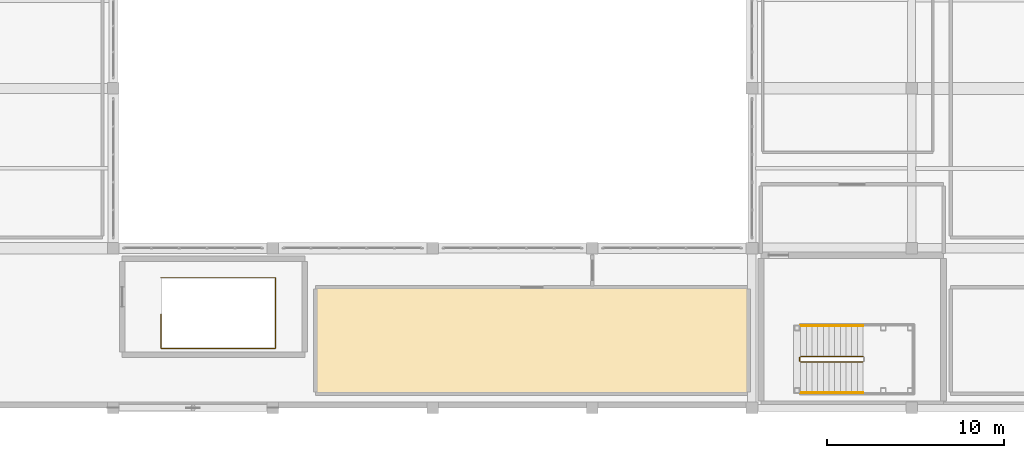
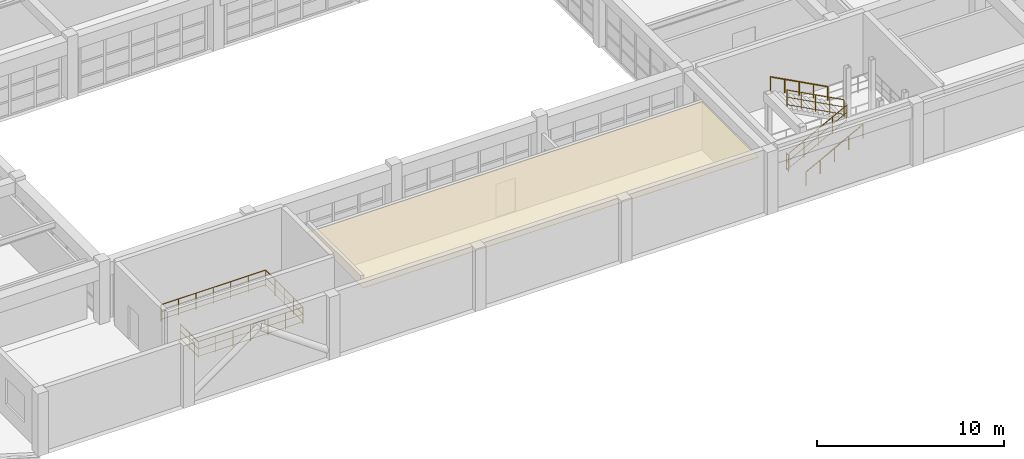
# One storey, part 121 of 130: 6 railings, 1 covering.
"""IFC4 building model written with IfcOpenShell, lengths in metres."""

from ifc_helpers import new_model, si_unit, direction, frame, origin, origin_2d, place, context, subcontext, project, spatial, polyline, circle, outline, extrude, material, layer, layer_set, type_object, element, save


model = new_model("IFC4")

# Units and contexts
model_context = context("Model", 3, precision=1e-05, world=origin(), true_north=direction((0.0, 1.0)))
body_context = subcontext(model_context, "Body", "Model", "MODEL_VIEW")
ifc_project = project(units=[si_unit("LENGTHUNIT", "METRE"), si_unit("AREAUNIT", "SQUARE_METRE"), si_unit("VOLUMEUNIT", "CUBIC_METRE"), si_unit("PLANEANGLEUNIT", "RADIAN"), si_unit("MASSUNIT", "GRAM", prefix="KILO")], contexts=[model_context])

# Site, building, storey
site_placement = place(None, origin())
site = spatial("IfcSite", under=ifc_project, at=site_placement, CompositionType="ELEMENT")
building_placement = place(site_placement, origin())
building = spatial("IfcBuilding", under=site, at=building_placement, Name="Miravela Opera House", CompositionType="ELEMENT")
storey_placement = place(building_placement, frame((0.0, 0.0, 9.52001953125)))
storey = spatial("IfcBuildingStorey", under=building, at=storey_placement, Name="L02", CompositionType="ELEMENT", Elevation=9.52001953125)

# Covering
ifc_material_1 = material(Name="Suspended acoustic gypsum board ceiling")
ifc_layer = layer(ifc_material_1, 0.02392578125)
ifc_layer_set = layer_set([ifc_layer])
covering_type = type_object("IfcCoveringType", Name="ARC-CEIL-GYPSUM-24", PredefinedType="CEILING", material=ifc_layer_set)
covering_placement = place(storey_placement, frame((0.0, 0.0, 3.06005859375)))
element("IfcCovering", 1, at=covering_placement, inside=storey, type_object=covering_type, Name="Female Chorus Dressing Suite Acoustic Ceiling", PredefinedType="CEILING", context=body_context, shape_type="SweptSolid", body=[
    extrude(outline(polyline([(38.39990234375, 0.800048828125), (62.800048828125, 0.800048828125), (62.800048828125, 6.800048828125), (38.39990234375, 6.800048828125), (38.39990234375, 0.800048828125)])), origin(), (0.0, 0.0, 1.0), 0.02392578125),
])

# Railings
ifc_material_2 = material(Name="Brushed bronze continuous stair handrail")
railing_type_1 = type_object("IfcRailingType", Name="ARC-RAIL-HAND-900", PredefinedType="HANDRAIL", material=ifc_material_2)
railing_1_placement = place(storey_placement, frame((65.739990234375, 0.85009765625, 0.169921875)))
element("IfcRailing", 2, at=railing_1_placement, inside=storey, type_object=railing_type_1, Name="L02 ST-06 stair handrail 1", PredefinedType="HANDRAIL", context=body_context, shape_type="SweptSolid", body=[
    extrude(circle(Radius=0.02392578125, at=origin_2d()), frame((0.0, 0.0, 0.8759765625), z_axis=(0.883104616746, 0.0, 0.469176124586), x_axis=(0.0, 1.0, 0.0)), (0.0, 0.0, 1.0), 3.98583984375),
    extrude(circle(Radius=0.02099609375, at=origin_2d()), origin(), (0.0, 0.0, 1.0), 0.851806640625),
    extrude(circle(Radius=0.02099609375, at=origin_2d()), frame((0.8798828125, 0.0, 0.467529296875)), (0.0, 0.0, 1.0), 0.851806640625),
    extrude(circle(Radius=0.02099609375, at=origin_2d()), frame((1.760009765625, 0.0, 0.93505859375)), (0.0, 0.0, 1.0), 0.851806640625),
    extrude(circle(Radius=0.02099609375, at=origin_2d()), frame((2.64013671875, 0.0, 1.402587890625)), (0.0, 0.0, 1.0), 0.851806640625),
    extrude(circle(Radius=0.02099609375, at=origin_2d()), frame((3.52001953125, 0.0, 1.8701171875)), (0.0, 0.0, 1.0), 0.851806640625),
])
railing_2_placement = place(storey_placement, frame((69.260009765625, 4.6298828125, 2.2099609375)))
element("IfcRailing", 3, at=railing_2_placement, inside=storey, type_object=railing_type_1, Name="L02 ST-06 stair handrail 2", PredefinedType="HANDRAIL", context=body_context, shape_type="SweptSolid", body=[
    extrude(circle(Radius=0.02392578125, at=origin_2d()), frame((0.0, 0.0, 0.8759765625), z_axis=(-0.883104616746, 0.0, 0.469176124586), x_axis=(0.0, -1.0, 0.0)), (0.0, 0.0, 1.0), 3.98583984375),
    extrude(circle(Radius=0.02099609375, at=origin_2d()), origin(), (0.0, 0.0, 1.0), 0.851806640625),
    extrude(circle(Radius=0.02099609375, at=origin_2d()), frame((-0.8798828125, 0.0, 0.467529296875)), (0.0, 0.0, 1.0), 0.851806640625),
    extrude(circle(Radius=0.02099609375, at=origin_2d()), frame((-1.760009765625, 0.0, 0.93505859375)), (0.0, 0.0, 1.0), 0.851806640625),
    extrude(circle(Radius=0.02099609375, at=origin_2d()), frame((-2.64013671875, 0.0, 1.402587890625)), (0.0, 0.0, 1.0), 0.851806640625),
    extrude(circle(Radius=0.02099609375, at=origin_2d()), frame((-3.52001953125, 0.0, 1.8701171875)), (0.0, 0.0, 1.0), 0.851806640625),
])
ifc_material_3 = material(Name="Painted wrought-iron stair guardrail")
railing_type_2 = type_object("IfcRailingType", Name="ARC-RAIL-STAIR-GUARD", PredefinedType="GUARDRAIL", material=ifc_material_3)
railing_3_placement = place(storey_placement, frame((65.739990234375, 2.590087890625, 0.169921875)))
element("IfcRailing", 4, at=railing_3_placement, inside=storey, type_object=railing_type_2, Name="L02 ST-06 stair guard 1", PredefinedType="GUARDRAIL", context=body_context, shape_type="SweptSolid", body=[
    extrude(circle(Radius=0.02392578125, at=origin_2d()), frame((0.0, 0.0, 1.076171875), z_axis=(0.883104616746, 0.0, 0.469176124586), x_axis=(0.0, 1.0, 0.0)), (0.0, 0.0, 1.0), 3.98583984375),
    extrude(circle(Radius=0.01611328125, at=origin_2d()), frame((0.0, 0.0, 0.60498046875), z_axis=(0.883104616746, 0.0, 0.469176124586), x_axis=(0.0, 1.0, 0.0)), (0.0, 0.0, 1.0), 3.98583984375),
    extrude(circle(Radius=0.01611328125, at=origin_2d()), frame((0.0, 0.0, 0.1201171875), z_axis=(0.883104616746, 0.0, 0.469176124586), x_axis=(0.0, 1.0, 0.0)), (0.0, 0.0, 1.0), 3.98583984375),
    extrude(circle(Radius=0.02099609375, at=origin_2d()), origin(), (0.0, 0.0, 1.0), 1.052001953125),
    extrude(circle(Radius=0.02099609375, at=origin_2d()), frame((0.8798828125, 0.0, 0.467529296875)), (0.0, 0.0, 1.0), 1.052001953125),
    extrude(circle(Radius=0.02099609375, at=origin_2d()), frame((1.760009765625, 0.0, 0.93505859375)), (0.0, 0.0, 1.0), 1.052001953125),
    extrude(circle(Radius=0.02099609375, at=origin_2d()), frame((2.64013671875, 0.0, 1.402587890625)), (0.0, 0.0, 1.0), 1.052001953125),
    extrude(circle(Radius=0.02099609375, at=origin_2d()), frame((3.52001953125, 0.0, 1.8701171875)), (0.0, 0.0, 1.0), 1.052001953125),
])
railing_4_placement = place(storey_placement, frame((69.260009765625, 2.889892578125, 2.2099609375)))
element("IfcRailing", 5, at=railing_4_placement, inside=storey, type_object=railing_type_2, Name="L02 ST-06 stair guard 3", PredefinedType="GUARDRAIL", context=body_context, shape_type="SweptSolid", body=[
    extrude(circle(Radius=0.02392578125, at=origin_2d()), frame((0.0, 0.0, 1.076171875), z_axis=(-0.883104616746, 0.0, 0.469176124586), x_axis=(0.0, -1.0, 0.0)), (0.0, 0.0, 1.0), 3.98583984375),
    extrude(circle(Radius=0.01611328125, at=origin_2d()), frame((0.0, 0.0, 0.60498046875), z_axis=(-0.883104616746, 0.0, 0.469176124586), x_axis=(0.0, -1.0, 0.0)), (0.0, 0.0, 1.0), 3.98583984375),
    extrude(circle(Radius=0.01611328125, at=origin_2d()), frame((0.0, 0.0, 0.1201171875), z_axis=(-0.883104616746, 0.0, 0.469176124586), x_axis=(0.0, -1.0, 0.0)), (0.0, 0.0, 1.0), 3.98583984375),
    extrude(circle(Radius=0.02099609375, at=origin_2d()), origin(), (0.0, 0.0, 1.0), 1.052001953125),
    extrude(circle(Radius=0.02099609375, at=origin_2d()), frame((-0.8798828125, 0.0, 0.467529296875)), (0.0, 0.0, 1.0), 1.052001953125),
    extrude(circle(Radius=0.02099609375, at=origin_2d()), frame((-1.760009765625, 0.0, 0.93505859375)), (0.0, 0.0, 1.0), 1.052001953125),
    extrude(circle(Radius=0.02099609375, at=origin_2d()), frame((-2.64013671875, 0.0, 1.402587890625)), (0.0, 0.0, 1.0), 1.052001953125),
    extrude(circle(Radius=0.02099609375, at=origin_2d()), frame((-3.52001953125, 0.0, 1.8701171875)), (0.0, 0.0, 1.0), 1.052001953125),
])
railing_5_placement = place(storey_placement, frame((65.68994140625, 2.639892578125, 0.0)))
element("IfcRailing", 6, at=railing_5_placement, inside=storey, type_object=railing_type_2, Name="L02 ST-06 stair guard 4", PredefinedType="GUARDRAIL", context=body_context, shape_type="SweptSolid", body=[
    extrude(circle(Radius=0.02392578125, at=origin_2d()), frame((0.0, 0.0, 1.076171875), z_axis=(0.0, 1.0, 0.0), x_axis=(-1.0, 0.0, 0.0)), (0.0, 0.0, 1.0), 0.2001953125),
    extrude(circle(Radius=0.01611328125, at=origin_2d()), frame((0.0, 0.0, 0.60498046875), z_axis=(0.0, 1.0, 0.0), x_axis=(-1.0, 0.0, 0.0)), (0.0, 0.0, 1.0), 0.2001953125),
    extrude(circle(Radius=0.01611328125, at=origin_2d()), frame((0.0, 0.0, 0.1201171875), z_axis=(0.0, 1.0, 0.0), x_axis=(-1.0, 0.0, 0.0)), (0.0, 0.0, 1.0), 0.2001953125),
    extrude(circle(Radius=0.02099609375, at=origin_2d()), origin(), (0.0, 0.0, 1.0), 1.052001953125),
    extrude(circle(Radius=0.02099609375, at=origin_2d()), frame((0.0, 0.2001953125, 0.0)), (0.0, 0.0, 1.0), 1.052001953125),
])
railing_6_placement = place(storey_placement, frame((29.68994140625, 5.27001953125, 0.0)))
element("IfcRailing", 7, at=railing_6_placement, inside=storey, type_object=railing_type_2, Name="Stair ST-08 Well Slab Opening Guard (L02) 0080", PredefinedType="GUARDRAIL", context=body_context, shape_type="SweptSolid", body=[
    extrude(circle(Radius=0.02392578125, at=origin_2d()), frame((0.0, 0.0, 1.076171875), z_axis=(0.0, -1.0, 0.0), x_axis=(1.0, 0.0, 0.0)), (0.0, 0.0, 1.0), 1.919921875),
    extrude(circle(Radius=0.01611328125, at=origin_2d()), frame((0.0, 0.0, 0.60498046875), z_axis=(0.0, -1.0, 0.0), x_axis=(1.0, 0.0, 0.0)), (0.0, 0.0, 1.0), 1.919921875),
    extrude(circle(Radius=0.01611328125, at=origin_2d()), frame((0.0, 0.0, 0.1201171875), z_axis=(0.0, -1.0, 0.0), x_axis=(1.0, 0.0, 0.0)), (0.0, 0.0, 1.0), 1.919921875),
    extrude(circle(Radius=0.02392578125, at=origin_2d()), frame((0.0, -1.919921875, 1.076171875), z_axis=(1.0, 0.0, 0.0), x_axis=(0.0, 1.0, 0.0)), (0.0, 0.0, 1.0), 6.4599609375),
    extrude(circle(Radius=0.01611328125, at=origin_2d()), frame((0.0, -1.919921875, 0.60498046875), z_axis=(1.0, 0.0, 0.0), x_axis=(0.0, 1.0, 0.0)), (0.0, 0.0, 1.0), 6.4599609375),
    extrude(circle(Radius=0.01611328125, at=origin_2d()), frame((0.0, -1.919921875, 0.1201171875), z_axis=(1.0, 0.0, 0.0), x_axis=(0.0, 1.0, 0.0)), (0.0, 0.0, 1.0), 6.4599609375),
    extrude(circle(Radius=0.02392578125, at=origin_2d()), frame((6.4599609375, -1.919921875, 1.076171875), z_axis=(0.0, 1.0, 0.0), x_axis=(-1.0, 0.0, 0.0)), (0.0, 0.0, 1.0), 3.97998046875),
    extrude(circle(Radius=0.01611328125, at=origin_2d()), frame((6.4599609375, -1.919921875, 0.60498046875), z_axis=(0.0, 1.0, 0.0), x_axis=(-1.0, 0.0, 0.0)), (0.0, 0.0, 1.0), 3.97998046875),
    extrude(circle(Radius=0.01611328125, at=origin_2d()), frame((6.4599609375, -1.919921875, 0.1201171875), z_axis=(0.0, 1.0, 0.0), x_axis=(-1.0, 0.0, 0.0)), (0.0, 0.0, 1.0), 3.97998046875),
    extrude(circle(Radius=0.02392578125, at=origin_2d()), frame((6.4599609375, 2.06005859375, 1.076171875), z_axis=(-1.0, 0.0, 0.0), x_axis=(0.0, -1.0, 0.0)), (0.0, 0.0, 1.0), 6.4599609375),
    extrude(circle(Radius=0.01611328125, at=origin_2d()), frame((6.4599609375, 2.06005859375, 0.60498046875), z_axis=(-1.0, 0.0, 0.0), x_axis=(0.0, -1.0, 0.0)), (0.0, 0.0, 1.0), 6.4599609375),
    extrude(circle(Radius=0.01611328125, at=origin_2d()), frame((6.4599609375, 2.06005859375, 0.1201171875), z_axis=(-1.0, 0.0, 0.0), x_axis=(0.0, -1.0, 0.0)), (0.0, 0.0, 1.0), 6.4599609375),
    extrude(circle(Radius=0.02099609375, at=origin_2d()), origin(), (0.0, 0.0, 1.0), 1.052001953125),
    extrude(circle(Radius=0.02099609375, at=origin_2d()), frame((0.0, -0.9599609375, 0.0)), (0.0, 0.0, 1.0), 1.052001953125),
    extrude(circle(Radius=0.02099609375, at=origin_2d()), frame((0.0, -1.919921875, 0.0)), (0.0, 0.0, 1.0), 1.052001953125),
    extrude(circle(Radius=0.02099609375, at=origin_2d()), frame((1.07666015625, -1.919921875, 0.0)), (0.0, 0.0, 1.0), 1.052001953125),
    extrude(circle(Radius=0.02099609375, at=origin_2d()), frame((2.1533203125, -1.919921875, 0.0)), (0.0, 0.0, 1.0), 1.052001953125),
    extrude(circle(Radius=0.02099609375, at=origin_2d()), frame((3.22998046875, -1.919921875, 0.0)), (0.0, 0.0, 1.0), 1.052001953125),
    extrude(circle(Radius=0.02099609375, at=origin_2d()), frame((4.306640625, -1.919921875, 0.0)), (0.0, 0.0, 1.0), 1.052001953125),
    extrude(circle(Radius=0.02099609375, at=origin_2d()), frame((5.38330078125, -1.919921875, 0.0)), (0.0, 0.0, 1.0), 1.052001953125),
    extrude(circle(Radius=0.02099609375, at=origin_2d()), frame((6.4599609375, -1.919921875, 0.0)), (0.0, 0.0, 1.0), 1.052001953125),
    extrude(circle(Radius=0.02099609375, at=origin_2d()), frame((6.4599609375, -0.9248046875, 0.0)), (0.0, 0.0, 1.0), 1.052001953125),
    extrude(circle(Radius=0.02099609375, at=origin_2d()), frame((6.4599609375, 0.070068359375, 0.0)), (0.0, 0.0, 1.0), 1.052001953125),
    extrude(circle(Radius=0.02099609375, at=origin_2d()), frame((6.4599609375, 1.06494140625, 0.0)), (0.0, 0.0, 1.0), 1.052001953125),
    extrude(circle(Radius=0.02099609375, at=origin_2d()), frame((6.4599609375, 2.06005859375, 0.0)), (0.0, 0.0, 1.0), 1.052001953125),
    extrude(circle(Radius=0.02099609375, at=origin_2d()), frame((5.38330078125, 2.06005859375, 0.0)), (0.0, 0.0, 1.0), 1.052001953125),
    extrude(circle(Radius=0.02099609375, at=origin_2d()), frame((4.306640625, 2.06005859375, 0.0)), (0.0, 0.0, 1.0), 1.052001953125),
    extrude(circle(Radius=0.02099609375, at=origin_2d()), frame((3.22998046875, 2.06005859375, 0.0)), (0.0, 0.0, 1.0), 1.052001953125),
    extrude(circle(Radius=0.02099609375, at=origin_2d()), frame((2.1533203125, 2.06005859375, 0.0)), (0.0, 0.0, 1.0), 1.052001953125),
    extrude(circle(Radius=0.02099609375, at=origin_2d()), frame((1.07666015625, 2.06005859375, 0.0)), (0.0, 0.0, 1.0), 1.052001953125),
    extrude(circle(Radius=0.02099609375, at=origin_2d()), frame((0.0, 2.06005859375, 0.0)), (0.0, 0.0, 1.0), 1.052001953125),
])

save(model, "model.ifc")
